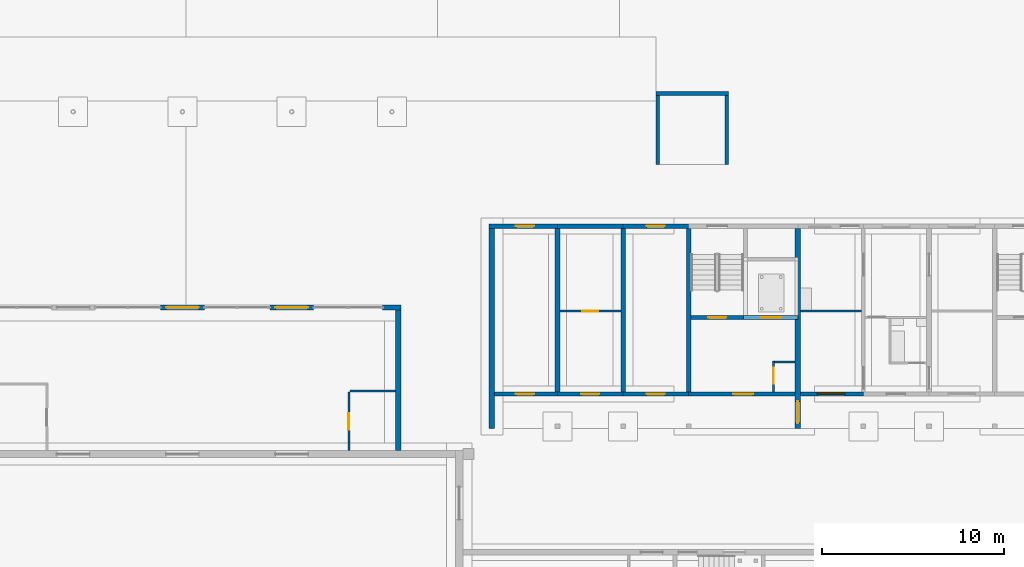
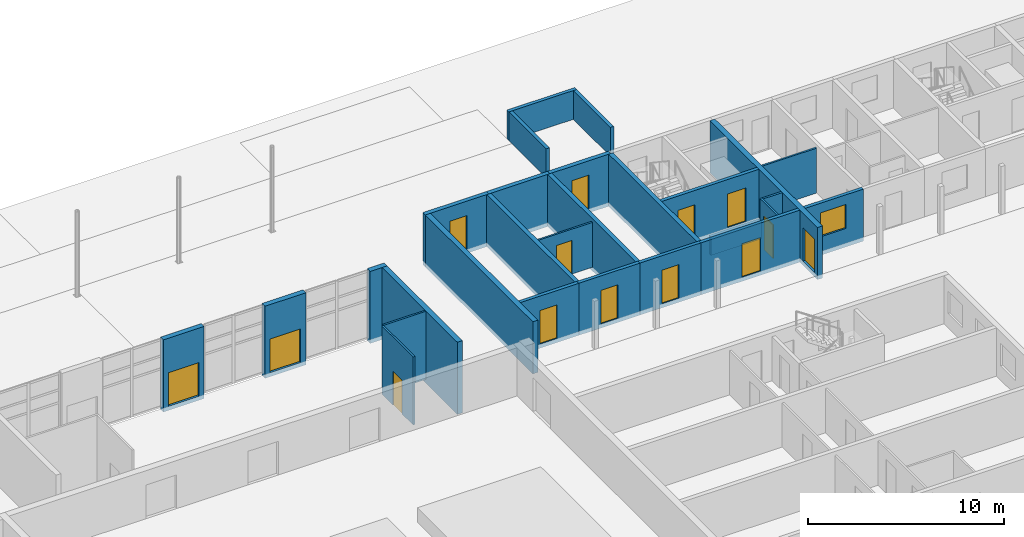
# One storey, part 64 of 112: 28 walls, 14 doors, 1 window, 15 openings.
"""IFC4 building model written with IfcOpenShell, lengths in metres."""

from ifc_helpers import new_model, si_unit, direction, frame, frame_2d, origin, place, context, subcontext, project, spatial, rectangle, extrude, material, layer, layer_set, type_object, element, fill, save


model = new_model("IFC4")

# Units and contexts
model_context = context("Model", 3, precision=1e-05, world=origin(), true_north=direction((0.0, 1.0)))
body_context = subcontext(model_context, "Body", "Model", "MODEL_VIEW")
ifc_project = project(units=[si_unit("LENGTHUNIT", "METRE"), si_unit("AREAUNIT", "SQUARE_METRE"), si_unit("VOLUMEUNIT", "CUBIC_METRE"), si_unit("PLANEANGLEUNIT", "RADIAN"), si_unit("MASSUNIT", "GRAM", prefix="KILO")], contexts=[model_context])

# Site, building, storey
site_placement = place(None, origin())
site = spatial("IfcSite", under=ifc_project, at=site_placement, CompositionType="ELEMENT")
building_placement = place(site_placement, origin())
building = spatial("IfcBuilding", under=site, at=building_placement, Name="Ridgestep Commons", CompositionType="ELEMENT")
storey_placement = place(building_placement, origin())
storey = spatial("IfcBuildingStorey", under=building, at=storey_placement, Name="L00", CompositionType="ELEMENT", Elevation=0.0)

# Walls
ifc_material_1 = material(Name="Concrete C30/37", Category="concrete")
ifc_layer_1 = layer(ifc_material_1, 0.199951171875)
ifc_layer_set_1 = layer_set([ifc_layer_1], Name="Community enclosure wall 200")
wall_type_1 = type_object("IfcWallType", Name="Community enclosure wall 200", PredefinedType="SOLIDWALL", material=ifc_layer_set_1)
wall_1_placement = place(storey_placement, frame((155.800048828125, 84.39990234375, 0.0), z_axis=(0.0, 0.0, 1.0), x_axis=(1.0, 0.0, 0.0)))
element("IfcWall", 1, at=wall_1_placement, inside=storey, type_object=wall_type_1, Name="Community enclosure wall 200", PredefinedType="SOLIDWALL", context=body_context, shape_type="SweptSolid", body=[
    extrude(rectangle(XDim=4.0, YDim=0.199951171875, at=frame_2d((2.0, 0.0))), origin(), (0.0, 0.0, 1.0), 1.800048828125),
])
for number, where, z_axis, x_axis, name in (
    (2, (159.699951171875, 80.5, 0.0), (0.0, 0.0, 1.0), (0.0, 1.0, 0.0), "Community enclosure wall 200"),
    (3, (155.89990234375, 80.5, 0.0), (0.0, 0.0, 1.0), (0.0, 1.0, 0.0), "Community enclosure wall 200"),
):
    element("IfcWall", number, at=place(storey_placement, frame(where, z_axis=z_axis, x_axis=x_axis)), inside=storey, type_object=wall_type_1, Name=name, PredefinedType="SOLIDWALL", context=body_context, shape_type="SweptSolid", body=[
        extrude(rectangle(XDim=3.800048828125, YDim=0.199951171875, at=frame_2d((1.89990234375, 0.0))), origin(), (0.0, 0.0, 1.0), 1.800048828125),
    ])

# Wall, opening, door
ifc_material_2 = material(Name="Common brick 110 mm", Category="masonry")
ifc_layer_2 = layer(ifc_material_2, 0.110107421875)
ifc_layer_set_2 = layer_set([ifc_layer_2], Name="Community partition 110")
wall_type_2 = type_object("IfcWallType", Name="Community partition 110", PredefinedType="PARTITIONING", material=ifc_layer_set_2)
wall_2_placement = place(storey_placement, frame((138.945068359375, 64.800048828125, 0.0), z_axis=(0.0, 0.0, 1.0), x_axis=(0.0, 1.0, 0.0)))
wall_2 = element("IfcWall", 4, at=wall_2_placement, inside=storey, type_object=wall_type_2, Name="Community partition 110", PredefinedType="PARTITIONING", context=body_context, shape_type="SweptSolid", body=[
    extrude(rectangle(XDim=3.199951171875, YDim=0.110107421875, at=frame_2d((1.60009765625, 0.0))), origin(), (0.0, 0.0, 1.0), 4.25),
])
opening_1_placement = place(wall_2_placement, frame((1.14990234375, 0.0, 0.0)))
opening_1 = element("IfcOpeningElement", 5, at=opening_1_placement, cuts=wall_2, Name="Opening C051", PredefinedType="OPENING", context=body_context, shape_type="SweptSolid", body=[
    extrude(rectangle(XDim=0.89990234375, YDim=2.10009765625, at=frame_2d((0.449951171875, 1.050048828125))), frame((0.0, 0.06494140625, 0.0), z_axis=(0.0, -1.0, 0.0), x_axis=(1.0, 0.0, 0.0)), (0.0, 0.0, 1.0), 0.130126953125),
])
ifc_material_3 = material(Name="Timber", Category="wood")
door_type_1 = type_object("IfcDoorType", Name="Community door 900 x 2100", OperationType="SINGLE_SWING_LEFT", PredefinedType="DOOR", material=ifc_material_3)
door_1_placement = place(opening_1_placement, origin())
door_1 = element("IfcDoor", 6, at=door_1_placement, inside=storey, type_object=door_type_1, Name="Community door 900 x 2100", OperationType="SINGLE_SWING_RIGHT", OverallHeight=2.10009765625, OverallWidth=0.89990234375, PredefinedType="DOOR", context=body_context, shape_type="SweptSolid", body=[
    extrude(rectangle(XDim=0.89990234375, YDim=2.10009765625, at=frame_2d((0.449951171875, 1.050048828125))), frame((0.0, 0.02490234375, 0.0), z_axis=(0.0, -1.0, 0.0), x_axis=(1.0, 0.0, 0.0)), (0.0, 0.0, 1.0), 0.050048828125),
])
fill(opening_1, door_1)

# Walls
wall_3_placement = place(storey_placement, frame((139.0, 68.054931640625, 0.0), z_axis=(0.0, 0.0, 1.0), x_axis=(1.0, 0.0, 0.0)))
element("IfcWall", 7, at=wall_3_placement, inside=storey, type_object=wall_type_2, Name="Community partition 110", PredefinedType="PARTITIONING", context=body_context, shape_type="SweptSolid", body=[
    extrude(rectangle(XDim=2.5, YDim=0.110107421875, at=frame_2d((1.25, 0.0))), origin(), (0.0, 0.0, 1.0), 4.25),
])
ifc_material_4 = material(Name="Concrete C30/37", Category="concrete")
ifc_layer_3 = layer(ifc_material_4, 0.25)
ifc_layer_set_3 = layer_set([ifc_layer_3], Name="Core cross wall 250")
wall_type_3 = type_object("IfcWallType", Name="Core cross wall 250", PredefinedType="SHEAR", material=ifc_layer_set_3)
wall_4_placement = place(storey_placement, frame((157.60009765625, 68.0, -0.25), z_axis=(0.0, 0.0, 1.0), x_axis=(0.0, 1.0, 0.0)))
element("IfcWall", 8, at=wall_4_placement, inside=storey, type_object=wall_type_3, Name="Cross wall C-00-1576", PredefinedType="SHEAR", context=body_context, shape_type="SweptSolid", body=[
    extrude(rectangle(XDim=9.0, YDim=0.25, at=frame_2d((4.5, 0.0))), origin(), (0.0, 0.0, 1.0), 3.25),
])

# Wall, opening, door
ifc_material_5 = material(Name="Concrete C30/37", Category="concrete")
ifc_layer_4 = layer(ifc_material_5, 0.199951171875)
ifc_layer_set_4 = layer_set([ifc_layer_4], Name="Core south wall 200")
wall_type_4 = type_object("IfcWallType", Name="Core south wall 200", PredefinedType="SHEAR", material=ifc_layer_set_4)
wall_5_placement = place(storey_placement, frame((157.60009765625, 67.89990234375, -0.25), z_axis=(0.0, 0.0, 1.0), x_axis=(1.0, 0.0, 0.0)))
wall_5 = element("IfcWall", 9, at=wall_5_placement, inside=storey, type_object=wall_type_4, Name="Core south wall C1C L00", PredefinedType="SHEAR", context=body_context, shape_type="SweptSolid", body=[
    extrude(rectangle(XDim=5.849853515625, YDim=0.199951171875, at=frame_2d((2.9248046875, 0.0))), origin(), (0.0, 0.0, 1.0), 3.25),
])
opening_2_placement = place(wall_5_placement, frame((2.4375, 0.0, 0.25)))
opening_2 = element("IfcOpeningElement", 10, at=opening_2_placement, cuts=wall_5, Name="Opening C1C/00/1", PredefinedType="OPENING", context=body_context, shape_type="SweptSolid", body=[
    extrude(rectangle(XDim=1.10009765625, YDim=2.10009765625, at=frame_2d((0.550048828125, 1.050048828125))), frame((0.0, 0.10986328125, 0.0), z_axis=(0.0, -1.0, 0.0), x_axis=(1.0, 0.0, 0.0)), (0.0, 0.0, 1.0), 0.219970703125),
])
ifc_material_6 = material(Name="Steel fire door", Category="steel")
door_type_2 = type_object("IfcDoorType", Name="Lobby door 1100 x 2100 FD60", OperationType="NOTDEFINED", PredefinedType="DOOR", material=ifc_material_6)
door_2_placement = place(opening_2_placement, origin())
door_2 = element("IfcDoor", 11, at=door_2_placement, inside=storey, type_object=door_type_2, Name="Lobby door C1C/00/1", OperationType="SINGLE_SWING_LEFT", OverallHeight=2.10009765625, OverallWidth=1.10009765625, PredefinedType="DOOR", context=body_context, shape_type="SweptSolid", body=[
    extrude(rectangle(XDim=1.10009765625, YDim=2.10009765625, at=frame_2d((0.550048828125, 1.050048828125))), frame((0.0, 0.02490234375, 0.0), z_axis=(0.0, -1.0, 0.0), x_axis=(1.0, 0.0, 0.0)), (0.0, 0.0, 1.0), 0.050048828125),
])
fill(opening_2, door_2)

ifc_material_7 = material(Name="Concrete C30/37", Category="concrete")
ifc_layer_5 = layer(ifc_material_7, 0.1201171875)
ifc_layer_set_5 = layer_set([ifc_layer_5], Name="Core wall 120")
wall_type_5 = type_object("IfcWallType", Name="Core wall 120", PredefinedType="SHEAR", material=ifc_layer_set_5)
wall_6_placement = place(storey_placement, frame((162.260009765625, 68.0, -0.25), z_axis=(0.0, 0.0, 1.0), x_axis=(0.0, 1.0, 0.0)))
wall_6 = element("IfcWall", 12, at=wall_6_placement, inside=storey, type_object=wall_type_5, Name="Core riser w wall C1C L00", PredefinedType="SHEAR", context=body_context, shape_type="SweptSolid", body=[
    extrude(rectangle(XDim=1.719970703125, YDim=0.1201171875, at=frame_2d((0.85986328125, 0.0))), origin(), (0.0, 0.0, 1.0), 3.25),
])
opening_3_placement = place(wall_6_placement, frame((0.449951171875, 0.0, 0.25)))
opening_3 = element("IfcOpeningElement", 13, at=opening_3_placement, cuts=wall_6, Name="Opening C1C/00/4", PredefinedType="OPENING", context=body_context, shape_type="SweptSolid", body=[
    extrude(rectangle(XDim=0.89990234375, YDim=2.10009765625, at=frame_2d((0.449951171875, 1.050048828125))), frame((0.0, 0.070068359375, 0.0), z_axis=(0.0, -1.0, 0.0), x_axis=(1.0, 0.0, 0.0)), (0.0, 0.0, 1.0), 0.14013671875),
])
ifc_material_8 = material(Name="Steel fire door", Category="steel")
door_type_3 = type_object("IfcDoorType", Name="Riser door 900 x 2100 FD60", OperationType="NOTDEFINED", PredefinedType="DOOR", material=ifc_material_8)
door_3_placement = place(opening_3_placement, origin())
door_3 = element("IfcDoor", 14, at=door_3_placement, inside=storey, type_object=door_type_3, Name="Riser door C1C/00/4", OperationType="SINGLE_SWING_LEFT", OverallHeight=2.10009765625, OverallWidth=0.89990234375, PredefinedType="DOOR", context=body_context, shape_type="SweptSolid", body=[
    extrude(rectangle(XDim=0.89990234375, YDim=2.10009765625, at=frame_2d((0.449951171875, 1.050048828125))), frame((0.0, 0.02490234375, 0.0), z_axis=(0.0, -1.0, 0.0), x_axis=(1.0, 0.0, 0.0)), (0.0, 0.0, 1.0), 0.050048828125),
])
fill(opening_3, door_3)

# Wall
wall_7_placement = place(storey_placement, frame((162.320068359375, 69.659912109375, -0.25), z_axis=(0.0, 0.0, 1.0), x_axis=(1.0, 0.0, 0.0)))
element("IfcWall", 15, at=wall_7_placement, inside=storey, type_object=wall_type_5, Name="Core riser n wall C1C L00", PredefinedType="SHEAR", context=body_context, shape_type="SweptSolid", body=[
    extrude(rectangle(XDim=1.1298828125, YDim=0.1201171875, at=frame_2d((0.56494140625, 0.0))), origin(), (0.0, 0.0, 1.0), 3.25),
])

# Wall, openings, doors
ifc_material_9 = material(Name="Concrete C30/37", Category="concrete")
ifc_layer_6 = layer(ifc_material_9, 0.199951171875)
ifc_layer_set_6 = layer_set([ifc_layer_6], Name="Core wall 200")
wall_type_6 = type_object("IfcWallType", Name="Core wall 200", PredefinedType="SHEAR", material=ifc_layer_set_6)
wall_8_placement = place(storey_placement, frame((157.72509765625, 72.10009765625, -0.25), z_axis=(0.0, 0.0, 1.0), x_axis=(1.0, 0.0, 0.0)))
wall_8 = element("IfcWall", 16, at=wall_8_placement, inside=storey, type_object=wall_type_6, Name="Core lobby wall C1C L00", PredefinedType="SHEAR", context=body_context, shape_type="SweptSolid", body=[
    extrude(rectangle(XDim=5.724853515625, YDim=0.199951171875, at=frame_2d((2.8623046875, 0.0))), origin(), (0.0, 0.0, 1.0), 3.25),
])
opening_4_placement = place(wall_8_placement, frame((0.949951171875, 0.0, 0.25)))
opening_4 = element("IfcOpeningElement", 17, at=opening_4_placement, cuts=wall_8, Name="Opening C1C/00/2", PredefinedType="OPENING", context=body_context, shape_type="SweptSolid", body=[
    extrude(rectangle(XDim=1.0, YDim=2.10009765625, at=frame_2d((0.5, 1.050048828125))), frame((0.0, 0.10986328125, 0.0), z_axis=(0.0, -1.0, 0.0), x_axis=(1.0, 0.0, 0.0)), (0.0, 0.0, 1.0), 0.219970703125),
])
opening_5_placement = place(wall_8_placement, frame((3.862548828125, 0.0, 0.25)))
opening_5 = element("IfcOpeningElement", 18, at=opening_5_placement, cuts=wall_8, Name="Opening C1C/00/3", PredefinedType="OPENING", context=body_context, shape_type="SweptSolid", body=[
    extrude(rectangle(XDim=1.10009765625, YDim=2.10009765625, at=frame_2d((0.550048828125, 1.050048828125))), frame((0.0, 0.10986328125, 0.0), z_axis=(0.0, -1.0, 0.0), x_axis=(1.0, 0.0, 0.0)), (0.0, 0.0, 1.0), 0.219970703125),
])
ifc_material_10 = material(Name="Stainless steel", Category="steel")
door_type_4 = type_object("IfcDoorType", Name="Lift landing door 1100 x 2100 FD60", OperationType="DOUBLE_DOOR_SLIDING", PredefinedType="DOOR", material=ifc_material_10)
door_4_placement = place(opening_5_placement, origin())
door_4 = element("IfcDoor", 19, at=door_4_placement, inside=storey, type_object=door_type_4, Name="Landing door LD C1C L00", OperationType="DOUBLE_DOOR_SLIDING", OverallHeight=2.10009765625, OverallWidth=1.10009765625, PredefinedType="DOOR", context=body_context, shape_type="SweptSolid", body=[
    extrude(rectangle(XDim=1.10009765625, YDim=2.10009765625, at=frame_2d((0.550048828125, 1.050048828125))), frame((0.0, 0.02490234375, 0.0), z_axis=(0.0, -1.0, 0.0), x_axis=(1.0, 0.0, 0.0)), (0.0, 0.0, 1.0), 0.050048828125),
])
fill(opening_5, door_4)
ifc_material_11 = material(Name="Steel fire door", Category="steel")
door_type_5 = type_object("IfcDoorType", Name="Stair door 1000 x 2100 FD60", OperationType="NOTDEFINED", PredefinedType="DOOR", material=ifc_material_11)
door_5_placement = place(opening_4_placement, origin())
door_5 = element("IfcDoor", 20, at=door_5_placement, inside=storey, type_object=door_type_5, Name="Stair door C1C/00/2", OperationType="SINGLE_SWING_RIGHT", OverallHeight=2.10009765625, OverallWidth=1.0, PredefinedType="DOOR", context=body_context, shape_type="SweptSolid", body=[
    extrude(rectangle(XDim=1.0, YDim=2.10009765625, at=frame_2d((0.5, 1.050048828125))), frame((0.0, 0.02490234375, 0.0), z_axis=(0.0, -1.0, 0.0), x_axis=(1.0, 0.0, 0.0)), (0.0, 0.0, 1.0), 0.050048828125),
])
fill(opening_4, door_5)

# Walls
wall_9_placement = place(storey_placement, frame((160.625, 72.10009765625, -1.39990234375), z_axis=(0.0, 0.0, 1.0), x_axis=(1.0, 0.0, 0.0)))
element("IfcWall", 21, at=wall_9_placement, inside=storey, type_object=wall_type_6, Name="Lift pit wall C1C", PredefinedType="SHEAR", context=body_context, shape_type="SweptSolid", body=[
    extrude(rectangle(XDim=2.97509765625, YDim=0.199951171875, at=frame_2d((1.487548828125, 0.0))), origin(), (0.0, 0.0, 1.0), 1.14990234375),
])
ifc_material_12 = material(Name="Precast concrete C40/50", Category="concrete")
ifc_layer_7 = layer(ifc_material_12, 0.25)
ifc_layer_set_7 = layer_set([ifc_layer_7], Name="Cross wall 250")
wall_type_7 = type_object("IfcWallType", Name="Cross wall 250", PredefinedType="SHEAR", material=ifc_layer_set_7)
for number, where, z_axis, x_axis, name in (
    (22, (150.39990234375, 68.0, -0.25), (0.0, 0.0, 1.0), (0.0, 1.0, 0.0), "Cross wall C-00-1504"),
    (23, (154.0, 68.0, -0.25), (0.0, 0.0, 1.0), (0.0, 1.0, 0.0), "Cross wall C-00-1540"),
):
    element("IfcWall", number, at=place(storey_placement, frame(where, z_axis=z_axis, x_axis=x_axis)), inside=storey, type_object=wall_type_7, Name=name, PredefinedType="SHEAR", context=body_context, shape_type="SweptSolid", body=[
        extrude(rectangle(XDim=9.0, YDim=0.25, at=frame_2d((4.5, 0.0))), origin(), (0.0, 0.0, 1.0), 3.25),
    ])

# Wall, opening, door
ifc_material_13 = material(Name="Precast concrete C40/50", Category="concrete")
ifc_layer_8 = layer(ifc_material_13, 0.300048828125)
ifc_layer_set_8 = layer_set([ifc_layer_8], Name="Division wall 300")
wall_type_8 = type_object("IfcWallType", Name="Division wall 300", PredefinedType="SHEAR", material=ifc_layer_set_8)
wall_10_placement = place(storey_placement, frame((163.60009765625, 66.0, -0.25), z_axis=(0.0, 0.0, 1.0), x_axis=(0.0, 1.0, 0.0)))
wall_10 = element("IfcWall", 24, at=wall_10_placement, inside=storey, type_object=wall_type_8, Name="Cross wall C-00-1636", PredefinedType="SHEAR", context=body_context, shape_type="SweptSolid", body=[
    extrude(rectangle(XDim=11.0, YDim=0.300048828125, at=frame_2d((5.5, 0.0))), origin(), (0.0, 0.0, 1.0), 3.25),
])
opening_6_placement = place(wall_10_placement, frame((0.300048828125, 0.0, 0.25)))
opening_6 = element("IfcOpeningElement", 25, at=opening_6_placement, cuts=wall_10, Name="Opening C/00/G1636", PredefinedType="OPENING", context=body_context, shape_type="SweptSolid", body=[
    extrude(rectangle(XDim=1.199951171875, YDim=2.10009765625, at=frame_2d((0.60009765625, 1.050048828125))), frame((0.0, 0.159912109375, 0.0), z_axis=(0.0, -1.0, 0.0), x_axis=(1.0, 0.0, 0.0)), (0.0, 0.0, 1.0), 0.320068359375),
])
ifc_material_14 = material(Name="Steel fire door", Category="steel")
door_type_6 = type_object("IfcDoorType", Name="Division fire door 1200 x 2100 EI 240", OperationType="DOUBLE_DOOR_SINGLE_SWING", PredefinedType="DOOR", material=ifc_material_14)
door_6_placement = place(opening_6_placement, origin())
door_6 = element("IfcDoor", 26, at=door_6_placement, inside=storey, type_object=door_type_6, Name="Division fire door C/00/G1636", OperationType="DOUBLE_DOOR_SINGLE_SWING", OverallHeight=2.10009765625, OverallWidth=1.199951171875, PredefinedType="DOOR", context=body_context, shape_type="SweptSolid", body=[
    extrude(rectangle(XDim=1.199951171875, YDim=2.10009765625, at=frame_2d((0.60009765625, 1.050048828125))), frame((0.0, 0.02490234375, 0.0), z_axis=(0.0, -1.0, 0.0), x_axis=(1.0, 0.0, 0.0)), (0.0, 0.0, 1.0), 0.050048828125),
])
fill(opening_6, door_6)

# Walls
ifc_material_15 = material(Name="Precast concrete C40/50", Category="concrete")
ifc_layer_9 = layer(ifc_material_15, 0.300048828125)
ifc_layer_set_9 = layer_set([ifc_layer_9], Name="Exposed division wall 300")
wall_type_9 = type_object("IfcWallType", Name="Exposed division wall 300", PredefinedType="SHEAR", material=ifc_layer_set_9)
wall_11_placement = place(storey_placement, frame((146.800048828125, 66.0, -0.25), z_axis=(0.0, 0.0, 1.0), x_axis=(0.0, 1.0, 0.0)))
element("IfcWall", 27, at=wall_11_placement, inside=storey, type_object=wall_type_9, Name="Cross wall C-00-1468", PredefinedType="SHEAR", context=body_context, shape_type="SweptSolid", body=[
    extrude(rectangle(XDim=11.0, YDim=0.300048828125, at=frame_2d((5.5, 0.0))), origin(), (0.0, 0.0, 1.0), 3.25),
])
ifc_material_16 = material(Name="Precast concrete C40/50", Category="concrete")
ifc_layer_10 = layer(ifc_material_16, 0.300048828125)
ifc_layer_set_10 = layer_set([ifc_layer_10], Name="Foyer wall 300")
wall_type_10 = type_object("IfcWallType", Name="Foyer wall 300", PredefinedType="SOLIDWALL", material=ifc_layer_set_10)
wall_12_placement = place(storey_placement, frame((141.64990234375, 64.800048828125, -0.25), z_axis=(0.0, 0.0, 1.0), x_axis=(0.0, 1.0, 0.0)))
element("IfcWall", 28, at=wall_12_placement, inside=storey, type_object=wall_type_10, Name="Foyer wall 300", PredefinedType="SOLIDWALL", context=body_context, shape_type="SweptSolid", body=[
    extrude(rectangle(XDim=7.699951171875, YDim=0.300048828125, at=frame_2d((3.85009765625, 0.0))), origin(), (0.0, 0.0, 1.0), 4.5),
])

# Wall, opening, door
wall_13_placement = place(storey_placement, frame((128.60009765625, 72.64990234375, -0.25), z_axis=(0.0, 0.0, 1.0), x_axis=(1.0, 0.0, 0.0)))
wall_13 = element("IfcWall", 29, at=wall_13_placement, inside=storey, type_object=wall_type_10, Name="Foyer wall 300", PredefinedType="SOLIDWALL", context=body_context, shape_type="SweptSolid", body=[
    extrude(rectangle(XDim=2.39990234375, YDim=0.300048828125, at=frame_2d((1.199951171875, 0.0))), origin(), (0.0, 0.0, 1.0), 4.5),
])
opening_7_placement = place(wall_13_placement, frame((0.300048828125, 0.0, 0.25)))
opening_7 = element("IfcOpeningElement", 30, at=opening_7_placement, cuts=wall_13, Name="Opening C006", PredefinedType="OPENING", context=body_context, shape_type="SweptSolid", body=[
    extrude(rectangle(XDim=1.800048828125, YDim=2.10009765625, at=frame_2d((0.89990234375, 1.050048828125))), frame((0.0, 0.159912109375, 0.0), z_axis=(0.0, -1.0, 0.0), x_axis=(1.0, 0.0, 0.0)), (0.0, 0.0, 1.0), 0.320068359375),
])
ifc_material_17 = material(Name="Aluminium and glass", Category="aluminium")
door_type_7 = type_object("IfcDoorType", Name="Community pair of doors 1800 x 2100", OperationType="DOUBLE_DOOR_SINGLE_SWING", PredefinedType="DOOR", material=ifc_material_17)
door_7_placement = place(opening_7_placement, origin())
door_7 = element("IfcDoor", 31, at=door_7_placement, inside=storey, type_object=door_type_7, Name="Community pair of doors 1800 x 2100", OperationType="DOUBLE_DOOR_SINGLE_SWING", OverallHeight=2.10009765625, OverallWidth=1.800048828125, PredefinedType="DOOR", context=body_context, shape_type="SweptSolid", body=[
    extrude(rectangle(XDim=1.800048828125, YDim=2.10009765625, at=frame_2d((0.89990234375, 1.050048828125))), frame((0.0, 0.02490234375, 0.0), z_axis=(0.0, -1.0, 0.0), x_axis=(1.0, 0.0, 0.0)), (0.0, 0.0, 1.0), 0.050048828125),
])
fill(opening_7, door_7)

wall_14_placement = place(storey_placement, frame((134.60009765625, 72.64990234375, -0.25), z_axis=(0.0, 0.0, 1.0), x_axis=(1.0, 0.0, 0.0)))
wall_14 = element("IfcWall", 32, at=wall_14_placement, inside=storey, type_object=wall_type_10, Name="Foyer wall 300", PredefinedType="SOLIDWALL", context=body_context, shape_type="SweptSolid", body=[
    extrude(rectangle(XDim=2.39990234375, YDim=0.300048828125, at=frame_2d((1.199951171875, 0.0))), origin(), (0.0, 0.0, 1.0), 4.5),
])
opening_8_placement = place(wall_14_placement, frame((0.300048828125, 0.0, 0.25)))
opening_8 = element("IfcOpeningElement", 33, at=opening_8_placement, cuts=wall_14, Name="Opening C007", PredefinedType="OPENING", context=body_context, shape_type="SweptSolid", body=[
    extrude(rectangle(XDim=1.800048828125, YDim=2.10009765625, at=frame_2d((0.89990234375, 1.050048828125))), frame((0.0, 0.159912109375, 0.0), z_axis=(0.0, -1.0, 0.0), x_axis=(1.0, 0.0, 0.0)), (0.0, 0.0, 1.0), 0.320068359375),
])
door_8_placement = place(opening_8_placement, origin())
door_8 = element("IfcDoor", 34, at=door_8_placement, inside=storey, type_object=door_type_7, Name="Community pair of doors 1800 x 2100", OperationType="DOUBLE_DOOR_SINGLE_SWING", OverallHeight=2.10009765625, OverallWidth=1.800048828125, PredefinedType="DOOR", context=body_context, shape_type="SweptSolid", body=[
    extrude(rectangle(XDim=1.800048828125, YDim=2.10009765625, at=frame_2d((0.89990234375, 1.050048828125))), frame((0.0, 0.02490234375, 0.0), z_axis=(0.0, -1.0, 0.0), x_axis=(1.0, 0.0, 0.0)), (0.0, 0.0, 1.0), 0.050048828125),
])
fill(opening_8, door_8)

# Wall
wall_15_placement = place(storey_placement, frame((140.800048828125, 72.64990234375, -0.25), z_axis=(0.0, 0.0, 1.0), x_axis=(1.0, 0.0, 0.0)))
element("IfcWall", 35, at=wall_15_placement, inside=storey, type_object=wall_type_10, Name="Foyer wall 300", PredefinedType="SOLIDWALL", context=body_context, shape_type="SweptSolid", body=[
    extrude(rectangle(XDim=1.0, YDim=0.300048828125, at=frame_2d((0.5, 0.0))), origin(), (0.0, 0.0, 1.0), 4.5),
])

# Wall, opening, door
ifc_material_18 = material(Name="Precast concrete C40/50", Category="concrete")
ifc_layer_11 = layer(ifc_material_18, 0.25)
ifc_layer_set_11 = layer_set([ifc_layer_11], Name="North facade panel 250")
wall_type_11 = type_object("IfcWallType", Name="North facade panel 250", PredefinedType="SOLIDWALL", material=ifc_layer_set_11)
wall_16_placement = place(storey_placement, frame((146.64990234375, 77.125, -0.25), z_axis=(0.0, 0.0, 1.0), x_axis=(1.0, 0.0, 0.0)))
wall_16 = element("IfcWall", 36, at=wall_16_placement, inside=storey, type_object=wall_type_11, Name="North panel C1T1 L00", PredefinedType="SOLIDWALL", context=body_context, shape_type="SweptSolid", body=[
    extrude(rectangle(XDim=3.75, YDim=0.25, at=frame_2d((1.875, 0.0))), origin(), (0.0, 0.0, 1.0), 3.25),
])
opening_9_placement = place(wall_16_placement, frame((1.46240234375, 0.0, 0.25)))
opening_9 = element("IfcOpeningElement", 37, at=opening_9_placement, cuts=wall_16, Name="Opening C1-00s/2", PredefinedType="OPENING", context=body_context, shape_type="SweptSolid", body=[
    extrude(rectangle(XDim=1.0, YDim=2.10009765625, at=frame_2d((0.5, 1.050048828125))), frame((0.0, 0.135009765625, 0.0), z_axis=(0.0, -1.0, 0.0), x_axis=(1.0, 0.0, 0.0)), (0.0, 0.0, 1.0), 0.27001953125),
])
ifc_material_19 = material(Name="Steel door leaf", Category="steel")
door_type_8 = type_object("IfcDoorType", Name="Exterior door 1000 x 2100", OperationType="NOTDEFINED", PredefinedType="DOOR", material=ifc_material_19)
door_9_placement = place(opening_9_placement, origin())
door_9 = element("IfcDoor", 38, at=door_9_placement, inside=storey, type_object=door_type_8, Name="Exterior door C1-00s/2", OperationType="SINGLE_SWING_LEFT", OverallHeight=2.10009765625, OverallWidth=1.0, PredefinedType="DOOR", context=body_context, shape_type="SweptSolid", body=[
    extrude(rectangle(XDim=1.0, YDim=2.10009765625, at=frame_2d((0.5, 1.050048828125))), frame((0.0, 0.02490234375, 0.0), z_axis=(0.0, -1.0, 0.0), x_axis=(1.0, 0.0, 0.0)), (0.0, 0.0, 1.0), 0.050048828125),
])
fill(opening_9, door_9)

# Wall
wall_17_placement = place(storey_placement, frame((150.39990234375, 77.125, -0.25), z_axis=(0.0, 0.0, 1.0), x_axis=(1.0, 0.0, 0.0)))
element("IfcWall", 39, at=wall_17_placement, inside=storey, type_object=wall_type_11, Name="North panel C1T2 L00", PredefinedType="SOLIDWALL", context=body_context, shape_type="SweptSolid", body=[
    extrude(rectangle(XDim=3.60009765625, YDim=0.25, at=frame_2d((1.800048828125, 0.0))), origin(), (0.0, 0.0, 1.0), 3.25),
])

# Wall, opening, door
wall_18_placement = place(storey_placement, frame((154.0, 77.125, -0.25), z_axis=(0.0, 0.0, 1.0), x_axis=(1.0, 0.0, 0.0)))
wall_18 = element("IfcWall", 40, at=wall_18_placement, inside=storey, type_object=wall_type_11, Name="North panel C1T3 L00", PredefinedType="SOLIDWALL", context=body_context, shape_type="SweptSolid", body=[
    extrude(rectangle(XDim=3.60009765625, YDim=0.25, at=frame_2d((1.800048828125, 0.0))), origin(), (0.0, 0.0, 1.0), 3.25),
])
opening_10_placement = place(wall_18_placement, frame((1.300048828125, 0.0, 0.25)))
opening_10 = element("IfcOpeningElement", 41, at=opening_10_placement, cuts=wall_18, Name="Opening C1-00s/6", PredefinedType="OPENING", context=body_context, shape_type="SweptSolid", body=[
    extrude(rectangle(XDim=1.0, YDim=2.10009765625, at=frame_2d((0.5, 1.050048828125))), frame((0.0, 0.135009765625, 0.0), z_axis=(0.0, -1.0, 0.0), x_axis=(1.0, 0.0, 0.0)), (0.0, 0.0, 1.0), 0.27001953125),
])
door_10_placement = place(opening_10_placement, origin())
door_10 = element("IfcDoor", 42, at=door_10_placement, inside=storey, type_object=door_type_8, Name="Exterior door C1-00s/6", OperationType="SINGLE_SWING_LEFT", OverallHeight=2.10009765625, OverallWidth=1.0, PredefinedType="DOOR", context=body_context, shape_type="SweptSolid", body=[
    extrude(rectangle(XDim=1.0, YDim=2.10009765625, at=frame_2d((0.5, 1.050048828125))), frame((0.0, 0.02490234375, 0.0), z_axis=(0.0, -1.0, 0.0), x_axis=(1.0, 0.0, 0.0)), (0.0, 0.0, 1.0), 0.050048828125),
])
fill(opening_10, door_10)

ifc_material_20 = material(Name="Common brick 110 mm", Category="masonry")
ifc_layer_12 = layer(ifc_material_20, 0.110107421875)
ifc_layer_set_12 = layer_set([ifc_layer_12], Name="Partition 110")
wall_type_12 = type_object("IfcWallType", Name="Partition 110", PredefinedType="PARTITIONING", material=ifc_layer_set_12)
wall_19_placement = place(storey_placement, frame((150.52490234375, 72.455078125, 0.0), z_axis=(0.0, 0.0, 1.0), x_axis=(1.0, 0.0, 0.0)))
wall_19 = element("IfcWall", 43, at=wall_19_placement, inside=storey, type_object=wall_type_12, Name="Partition C1-00s", PredefinedType="PARTITIONING", context=body_context, shape_type="SweptSolid", body=[
    extrude(rectangle(XDim=3.35009765625, YDim=0.110107421875, at=frame_2d((1.675048828125, 0.0))), origin(), (0.0, 0.0, 1.0), 2.800048828125),
])
opening_11_placement = place(wall_19_placement, frame((1.22509765625, 0.0, 0.0)))
opening_11 = element("IfcOpeningElement", 44, at=opening_11_placement, cuts=wall_19, Name="Opening C1-00s/4", PredefinedType="OPENING", context=body_context, shape_type="SweptSolid", body=[
    extrude(rectangle(XDim=0.89990234375, YDim=2.10009765625, at=frame_2d((0.449951171875, 1.050048828125))), frame((0.0, 0.06494140625, 0.0), z_axis=(0.0, -1.0, 0.0), x_axis=(1.0, 0.0, 0.0)), (0.0, 0.0, 1.0), 0.130126953125),
])
ifc_material_21 = material(Name="Timber door leaf", Category="wood")
door_type_9 = type_object("IfcDoorType", Name="Internal door 900 x 2100 FD60", OperationType="NOTDEFINED", PredefinedType="DOOR", material=ifc_material_21)
door_11_placement = place(opening_11_placement, origin())
door_11 = element("IfcDoor", 45, at=door_11_placement, inside=storey, type_object=door_type_9, Name="Internal door C1-00s/4", OperationType="SINGLE_SWING_LEFT", OverallHeight=2.10009765625, OverallWidth=0.89990234375, PredefinedType="DOOR", context=body_context, shape_type="SweptSolid", body=[
    extrude(rectangle(XDim=0.89990234375, YDim=2.10009765625, at=frame_2d((0.449951171875, 1.050048828125))), frame((0.0, 0.02490234375, 0.0), z_axis=(0.0, -1.0, 0.0), x_axis=(1.0, 0.0, 0.0)), (0.0, 0.0, 1.0), 0.050048828125),
])
fill(opening_11, door_11)

# Wall
wall_20_placement = place(storey_placement, frame((163.75, 72.455078125, 0.0), z_axis=(0.0, 0.0, 1.0), x_axis=(1.0, 0.0, 0.0)))
element("IfcWall", 46, at=wall_20_placement, inside=storey, type_object=wall_type_12, Name="Partition C2-00a", PredefinedType="PARTITIONING", context=body_context, shape_type="SweptSolid", body=[
    extrude(rectangle(XDim=3.35009765625, YDim=0.110107421875, at=frame_2d((1.675048828125, 0.0))), origin(), (0.0, 0.0, 1.0), 2.800048828125),
])

# Wall, opening, door
ifc_material_22 = material(Name="Precast concrete C40/50", Category="concrete")
ifc_layer_13 = layer(ifc_material_22, 0.199951171875)
ifc_layer_set_13 = layer_set([ifc_layer_13], Name="South facade panel 200")
wall_type_13 = type_object("IfcWallType", Name="South facade panel 200", PredefinedType="SOLIDWALL", material=ifc_layer_set_13)
wall_21_placement = place(storey_placement, frame((146.949951171875, 67.89990234375, -0.25), z_axis=(0.0, 0.0, 1.0), x_axis=(1.0, 0.0, 0.0)))
wall_21 = element("IfcWall", 47, at=wall_21_placement, inside=storey, type_object=wall_type_13, Name="South panel C1T1 L00", PredefinedType="SOLIDWALL", context=body_context, shape_type="SweptSolid", body=[
    extrude(rectangle(XDim=3.449951171875, YDim=0.199951171875, at=frame_2d((1.72509765625, 0.0))), origin(), (0.0, 0.0, 1.0), 3.25),
])
opening_12_placement = place(wall_21_placement, frame((1.16259765625, 0.0, 0.25)))
opening_12 = element("IfcOpeningElement", 48, at=opening_12_placement, cuts=wall_21, Name="Opening C1-00s/1", PredefinedType="OPENING", context=body_context, shape_type="SweptSolid", body=[
    extrude(rectangle(XDim=1.0, YDim=2.10009765625, at=frame_2d((0.5, 1.050048828125))), frame((0.0, 0.10986328125, 0.0), z_axis=(0.0, -1.0, 0.0), x_axis=(1.0, 0.0, 0.0)), (0.0, 0.0, 1.0), 0.219970703125),
])
ifc_material_23 = material(Name="Steel door leaf", Category="steel")
door_type_10 = type_object("IfcDoorType", Name="Store door 1000 x 2100", OperationType="NOTDEFINED", PredefinedType="DOOR", material=ifc_material_23)
door_12_placement = place(opening_12_placement, origin())
door_12 = element("IfcDoor", 49, at=door_12_placement, inside=storey, type_object=door_type_10, Name="Store door C1-00s/1", OperationType="SINGLE_SWING_RIGHT", OverallHeight=2.10009765625, OverallWidth=1.0, PredefinedType="DOOR", context=body_context, shape_type="SweptSolid", body=[
    extrude(rectangle(XDim=1.0, YDim=2.10009765625, at=frame_2d((0.5, 1.050048828125))), frame((0.0, 0.02490234375, 0.0), z_axis=(0.0, -1.0, 0.0), x_axis=(1.0, 0.0, 0.0)), (0.0, 0.0, 1.0), 0.050048828125),
])
fill(opening_12, door_12)

wall_22_placement = place(storey_placement, frame((150.39990234375, 67.89990234375, -0.25), z_axis=(0.0, 0.0, 1.0), x_axis=(1.0, 0.0, 0.0)))
wall_22 = element("IfcWall", 50, at=wall_22_placement, inside=storey, type_object=wall_type_13, Name="South panel C1T2 L00", PredefinedType="SOLIDWALL", context=body_context, shape_type="SweptSolid", body=[
    extrude(rectangle(XDim=3.60009765625, YDim=0.199951171875, at=frame_2d((1.800048828125, 0.0))), origin(), (0.0, 0.0, 1.0), 3.25),
])
opening_13_placement = place(wall_22_placement, frame((1.300048828125, 0.0, 0.25)))
opening_13 = element("IfcOpeningElement", 51, at=opening_13_placement, cuts=wall_22, Name="Opening C1-00s/3", PredefinedType="OPENING", context=body_context, shape_type="SweptSolid", body=[
    extrude(rectangle(XDim=1.0, YDim=2.10009765625, at=frame_2d((0.5, 1.050048828125))), frame((0.0, 0.10986328125, 0.0), z_axis=(0.0, -1.0, 0.0), x_axis=(1.0, 0.0, 0.0)), (0.0, 0.0, 1.0), 0.219970703125),
])
ifc_material_24 = material(Name="Steel door leaf", Category="steel")
door_type_11 = type_object("IfcDoorType", Name="Store door 1000 x 2100 FD60", OperationType="NOTDEFINED", PredefinedType="DOOR", material=ifc_material_24)
door_13_placement = place(opening_13_placement, origin())
door_13 = element("IfcDoor", 52, at=door_13_placement, inside=storey, type_object=door_type_11, Name="Store door C1-00s/3", OperationType="SINGLE_SWING_RIGHT", OverallHeight=2.10009765625, OverallWidth=1.0, PredefinedType="DOOR", context=body_context, shape_type="SweptSolid", body=[
    extrude(rectangle(XDim=1.0, YDim=2.10009765625, at=frame_2d((0.5, 1.050048828125))), frame((0.0, 0.02490234375, 0.0), z_axis=(0.0, -1.0, 0.0), x_axis=(1.0, 0.0, 0.0)), (0.0, 0.0, 1.0), 0.050048828125),
])
fill(opening_13, door_13)

wall_23_placement = place(storey_placement, frame((154.0, 67.89990234375, -0.25), z_axis=(0.0, 0.0, 1.0), x_axis=(1.0, 0.0, 0.0)))
wall_23 = element("IfcWall", 53, at=wall_23_placement, inside=storey, type_object=wall_type_13, Name="South panel C1T3 L00", PredefinedType="SOLIDWALL", context=body_context, shape_type="SweptSolid", body=[
    extrude(rectangle(XDim=3.60009765625, YDim=0.199951171875, at=frame_2d((1.800048828125, 0.0))), origin(), (0.0, 0.0, 1.0), 3.25),
])
opening_14_placement = place(wall_23_placement, frame((1.300048828125, 0.0, 0.25)))
opening_14 = element("IfcOpeningElement", 54, at=opening_14_placement, cuts=wall_23, Name="Opening C1-00s/5", PredefinedType="OPENING", context=body_context, shape_type="SweptSolid", body=[
    extrude(rectangle(XDim=1.0, YDim=2.10009765625, at=frame_2d((0.5, 1.050048828125))), frame((0.0, 0.10986328125, 0.0), z_axis=(0.0, -1.0, 0.0), x_axis=(1.0, 0.0, 0.0)), (0.0, 0.0, 1.0), 0.219970703125),
])
door_14_placement = place(opening_14_placement, origin())
door_14 = element("IfcDoor", 55, at=door_14_placement, inside=storey, type_object=door_type_10, Name="Store door C1-00s/5", OperationType="SINGLE_SWING_RIGHT", OverallHeight=2.10009765625, OverallWidth=1.0, PredefinedType="DOOR", context=body_context, shape_type="SweptSolid", body=[
    extrude(rectangle(XDim=1.0, YDim=2.10009765625, at=frame_2d((0.5, 1.050048828125))), frame((0.0, 0.02490234375, 0.0), z_axis=(0.0, -1.0, 0.0), x_axis=(1.0, 0.0, 0.0)), (0.0, 0.0, 1.0), 0.050048828125),
])
fill(opening_14, door_14)

# Wall, opening, window
wall_24_placement = place(storey_placement, frame((163.75, 67.89990234375, -0.25), z_axis=(0.0, 0.0, 1.0), x_axis=(1.0, 0.0, 0.0)))
wall_24 = element("IfcWall", 56, at=wall_24_placement, inside=storey, type_object=wall_type_13, Name="South panel C2T1 L00", PredefinedType="SOLIDWALL", context=body_context, shape_type="SweptSolid", body=[
    extrude(rectangle(XDim=3.449951171875, YDim=0.199951171875, at=frame_2d((1.72509765625, 0.0))), origin(), (0.0, 0.0, 1.0), 3.25),
])
opening_15_placement = place(wall_24_placement, frame((0.925048828125, 0.0, 1.14990234375)))
opening_15 = element("IfcOpeningElement", 57, at=opening_15_placement, cuts=wall_24, Name="Opening W16", PredefinedType="OPENING", context=body_context, shape_type="SweptSolid", body=[
    extrude(rectangle(XDim=1.5, YDim=1.5, at=frame_2d((0.75, 0.75))), frame((0.0, 0.10986328125, 0.0), z_axis=(0.0, -1.0, 0.0), x_axis=(1.0, 0.0, 0.0)), (0.0, 0.0, 1.0), 0.219970703125),
])
ifc_material_25 = material(Name="Aluminium 6063-T6 and glass", Category="aluminium")
window_type = type_object("IfcWindowType", Name="Flat window 1500 x 1500", PartitioningType="DOUBLE_PANEL_VERTICAL", PredefinedType="WINDOW", material=ifc_material_25)
window_placement = place(opening_15_placement, origin())
window = element("IfcWindow", 58, at=window_placement, inside=storey, type_object=window_type, Name="Window C2-00a 1", OverallHeight=1.5, OverallWidth=1.5, PartitioningType="SINGLE_PANEL", PredefinedType="WINDOW", context=body_context, shape_type="SweptSolid", body=[
    extrude(rectangle(XDim=1.5, YDim=1.5, at=frame_2d((0.75, 0.75))), frame((0.0, 0.06005859375, 0.0), z_axis=(0.0, -1.0, 0.0), x_axis=(1.0, 0.0, 0.0)), (0.0, 0.0, 1.0), 0.06005859375),
])
fill(opening_15, window)

save(model, "model.ifc")
